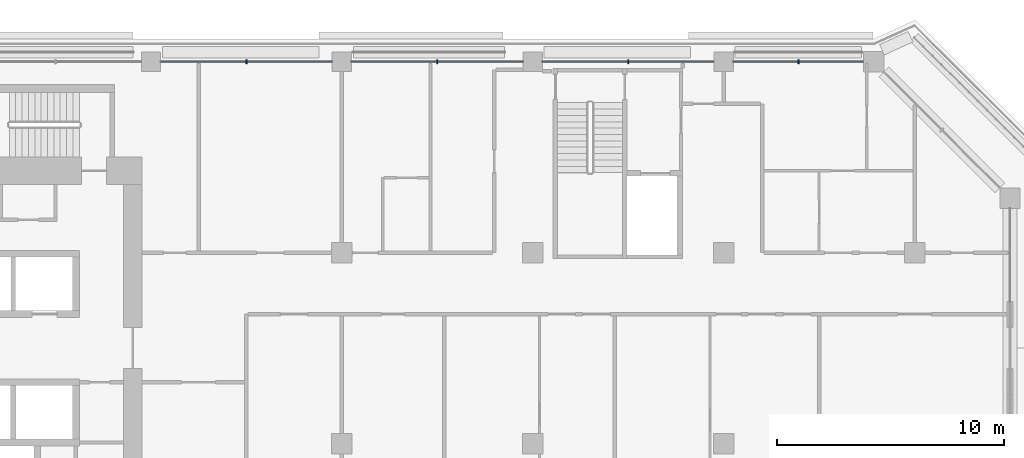
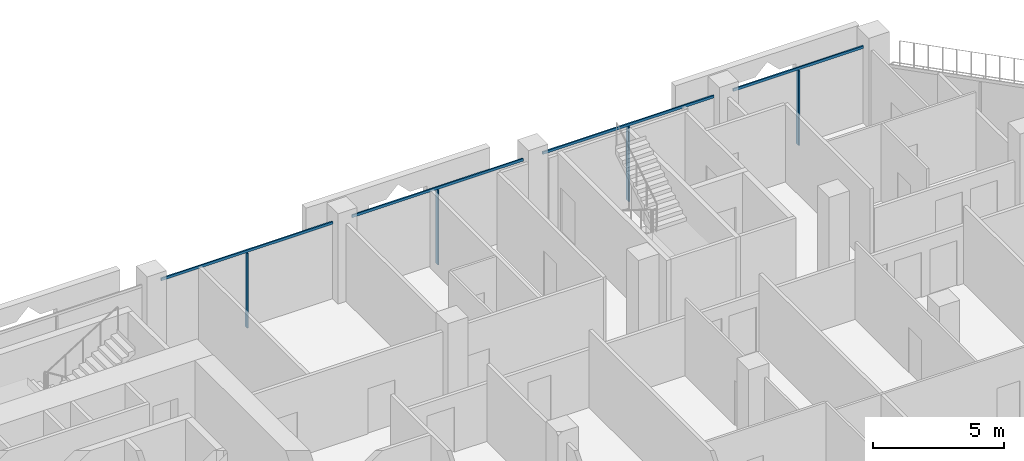
# One storey, part 6 of 21: 8 members, 1 element without a shape of its own.
"""IFC4 building model written with IfcOpenShell, lengths in metres."""

from ifc_helpers import new_model, si_unit, direction, frame, origin, origin_2d, place, context, subcontext, project, spatial, rectangle, extrude, material, layer, layer_set, material_profile, profile_set, type_object, element, aggregate, save


model = new_model("IFC4")

# Units and contexts
model_context = context("Model", 3, precision=1e-05, world=origin(), true_north=direction((0.0, 1.0)))
body_context = subcontext(model_context, "Body", "Model", "MODEL_VIEW")
ifc_project = project(units=[si_unit("LENGTHUNIT", "METRE"), si_unit("AREAUNIT", "SQUARE_METRE"), si_unit("VOLUMEUNIT", "CUBIC_METRE"), si_unit("PLANEANGLEUNIT", "RADIAN"), si_unit("MASSUNIT", "GRAM", prefix="KILO")], contexts=[model_context])

# Site, building, storey
site_placement = place(None, origin())
site = spatial("IfcSite", under=ifc_project, at=site_placement, CompositionType="ELEMENT")
building_placement = place(site_placement, origin())
building = spatial("IfcBuilding", under=site, at=building_placement, Name="Kawkab Arch Medical Tower", CompositionType="ELEMENT")
storey_placement = place(building_placement, frame((0.0, 0.0, 260.0)))
storey = spatial("IfcBuildingStorey", under=building, at=storey_placement, Name="L60", CompositionType="ELEMENT", Elevation=260.0)

# Curtain wall, members
ifc_material_1 = material(Name="Bronze anodised aluminium curtain wall frame", Category="aluminium")
ifc_layer = layer(ifc_material_1, 0.159912109375)
ifc_layer_set = layer_set([ifc_layer], Name="Bronze anodised aluminium curtain wall frame")
curtain_wall_type = type_object("IfcCurtainWallType", Name="CW1 ward curtain wall", PredefinedType="NOTDEFINED", material=ifc_layer_set)
curtain_wall_placement = place(storey_placement, origin())
curtain_wall = element("IfcCurtainWall", 1, at=curtain_wall_placement, inside=storey, type_object=curtain_wall_type, Name="CW1 Ward curtain wall R11", PredefinedType="NOTDEFINED")
ifc_material_2 = material(Name="Bronze anodised aluminium curtain wall frame", Category="aluminium")
ifc_material_profile_1 = material_profile(ifc_material_2, rectangle(XDim=0.179931640625, YDim=0.06005859375, at=origin_2d()), Name="AL 60x180")
ifc_profile_set_1 = profile_set([ifc_material_profile_1], Name="Bronze anodised aluminium curtain wall frame")
member_type_1 = type_object("IfcMemberType", Name="CW1 mullion 60 x 180", PredefinedType="MULLION", material=ifc_profile_set_1)
member_1_placement = place(storey_placement, frame((53.6875, 0.0, 0.0), z_axis=(0.0, 0.0, 1.0), x_axis=(0.0, -1.0, 0.0)))
member_1 = element("IfcMember", 2, at=member_1_placement, type_object=member_type_1, Name="CW1 mullion 1.1", PredefinedType="MULLION", context=body_context, shape_type="SweptSolid", body=[
    extrude(rectangle(XDim=0.179931640625, YDim=0.06005859375, at=origin_2d()), origin(), (0.0, 0.0, 1.0), 3.47998046875),
])
member_2_placement = place(storey_placement, frame((46.199951171875, 0.0, 0.0), z_axis=(0.0, 0.0, 1.0), x_axis=(0.0, -1.0, 0.0)))
member_2 = element("IfcMember", 3, at=member_2_placement, type_object=member_type_1, Name="CW1 mullion 2.1", PredefinedType="MULLION", context=body_context, shape_type="SweptSolid", body=[
    extrude(rectangle(XDim=0.179931640625, YDim=0.06005859375, at=origin_2d()), origin(), (0.0, 0.0, 1.0), 3.47998046875),
])
member_3_placement = place(storey_placement, frame((37.800048828125, 0.0, 0.0), z_axis=(0.0, 0.0, 1.0), x_axis=(0.0, -1.0, 0.0)))
member_3 = element("IfcMember", 4, at=member_3_placement, type_object=member_type_1, Name="CW1 mullion 3.1", PredefinedType="MULLION", context=body_context, shape_type="SweptSolid", body=[
    extrude(rectangle(XDim=0.179931640625, YDim=0.06005859375, at=origin_2d()), origin(), (0.0, 0.0, 1.0), 3.47998046875),
])
member_4_placement = place(storey_placement, frame((29.39990234375, 0.0, 0.0), z_axis=(0.0, 0.0, 1.0), x_axis=(0.0, -1.0, 0.0)))
member_4 = element("IfcMember", 5, at=member_4_placement, type_object=member_type_1, Name="CW1 mullion 4.1", PredefinedType="MULLION", context=body_context, shape_type="SweptSolid", body=[
    extrude(rectangle(XDim=0.179931640625, YDim=0.06005859375, at=origin_2d()), origin(), (0.0, 0.0, 1.0), 3.47998046875),
])
ifc_material_3 = material(Name="Bronze anodised aluminium curtain wall frame", Category="aluminium")
ifc_material_profile_2 = material_profile(ifc_material_3, rectangle(XDim=0.06005859375, YDim=0.1201171875, at=origin_2d()), Name="AL 60x120")
ifc_profile_set_2 = profile_set([ifc_material_profile_2], Name="Bronze anodised aluminium curtain wall frame")
member_type_2 = type_object("IfcMemberType", Name="CW1 transom 120 x 60", PredefinedType="USERDEFINED", material=ifc_profile_set_2)
member_5_placement = place(storey_placement, frame((56.550048828125, 0.0, 3.5400390625), z_axis=(-1.0, 0.0, 0.0), x_axis=(0.0, -1.0, 0.0)))
member_5 = element("IfcMember", 6, at=member_5_placement, type_object=member_type_2, Name="CW1 transom 1", ObjectType="TRANSOM", PredefinedType="USERDEFINED", context=body_context, shape_type="SweptSolid", body=[
    extrude(rectangle(XDim=0.06005859375, YDim=0.1201171875, at=origin_2d()), origin(), (0.0, 0.0, 1.0), 5.72509765625),
])
member_6_placement = place(storey_placement, frame((49.97509765625, 0.0, 3.5400390625), z_axis=(-1.0, 0.0, 0.0), x_axis=(0.0, -1.0, 0.0)))
member_6 = element("IfcMember", 7, at=member_6_placement, type_object=member_type_2, Name="CW1 transom 2", ObjectType="TRANSOM", PredefinedType="USERDEFINED", context=body_context, shape_type="SweptSolid", body=[
    extrude(rectangle(XDim=0.06005859375, YDim=0.1201171875, at=origin_2d()), origin(), (0.0, 0.0, 1.0), 7.550048828125),
])
member_7_placement = place(storey_placement, frame((41.574951171875, 0.0, 3.5400390625), z_axis=(-1.0, 0.0, 0.0), x_axis=(0.0, -1.0, 0.0)))
member_7 = element("IfcMember", 8, at=member_7_placement, type_object=member_type_2, Name="CW1 transom 3", ObjectType="TRANSOM", PredefinedType="USERDEFINED", context=body_context, shape_type="SweptSolid", body=[
    extrude(rectangle(XDim=0.06005859375, YDim=0.1201171875, at=origin_2d()), origin(), (0.0, 0.0, 1.0), 7.550048828125),
])
member_8_placement = place(storey_placement, frame((33.175048828125, 0.0, 3.5400390625), z_axis=(-1.0, 0.0, 0.0), x_axis=(0.0, -1.0, 0.0)))
member_8 = element("IfcMember", 9, at=member_8_placement, type_object=member_type_2, Name="CW1 transom 4", ObjectType="TRANSOM", PredefinedType="USERDEFINED", context=body_context, shape_type="SweptSolid", body=[
    extrude(rectangle(XDim=0.06005859375, YDim=0.1201171875, at=origin_2d()), origin(), (0.0, 0.0, 1.0), 7.550048828125),
])
aggregate(curtain_wall, [member_5, member_1, member_6, member_2, member_7, member_3, member_8, member_4])

save(model, "model.ifc")
